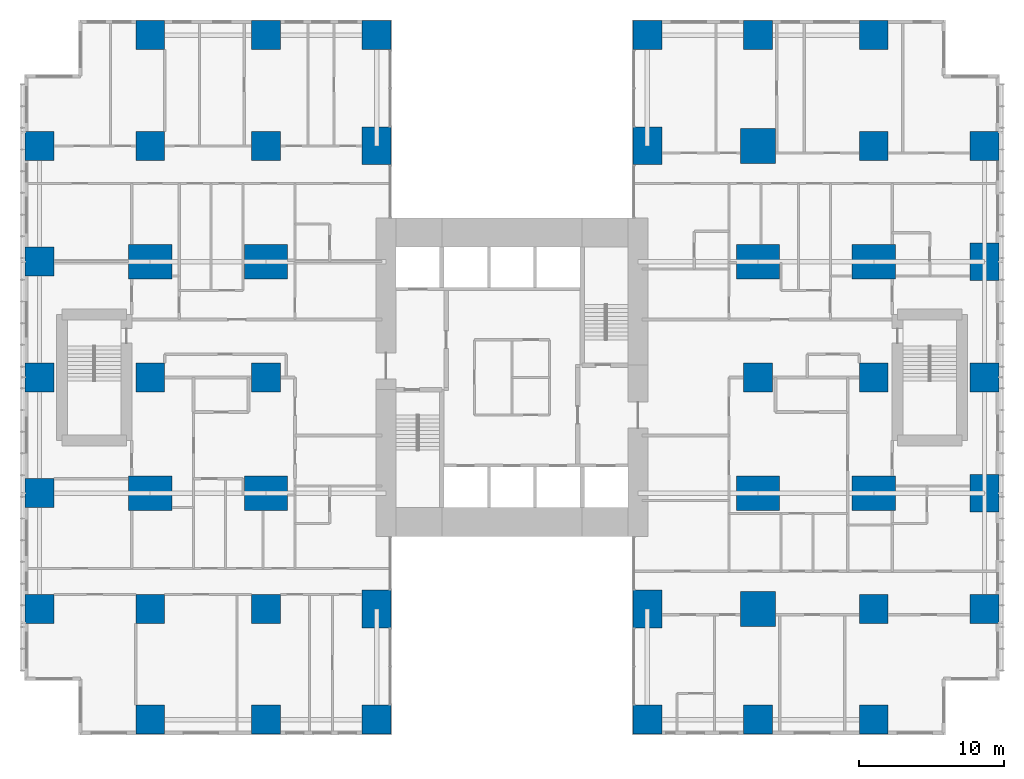
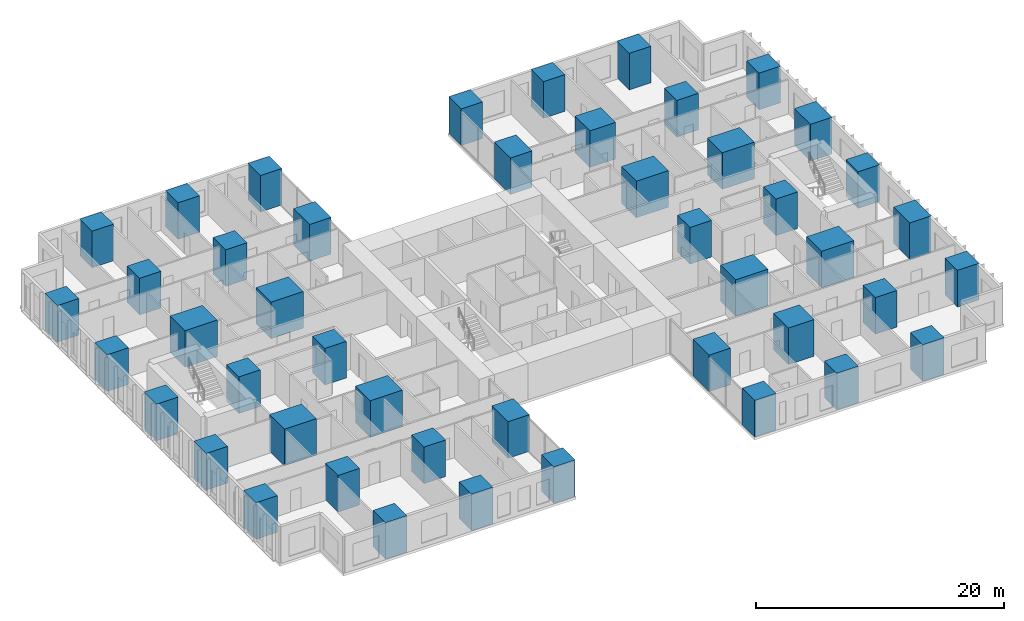
# One storey, part 1 of 20: 46 columns.
"""IFC4 building model written with IfcOpenShell, lengths in metres."""

from ifc_helpers import new_model, si_unit, direction, frame, origin, origin_2d, place, context, subcontext, project, spatial, rectangle, extrude, material, material_profile, profile_set, type_object, element, save


model = new_model("IFC4")

# Units and contexts
model_context = context("Model", 3, precision=1e-05, world=origin(), true_north=direction((0.0, 1.0)))
body_context = subcontext(model_context, "Body", "Model", "MODEL_VIEW")
ifc_project = project(units=[si_unit("LENGTHUNIT", "METRE"), si_unit("AREAUNIT", "SQUARE_METRE"), si_unit("VOLUMEUNIT", "CUBIC_METRE"), si_unit("PLANEANGLEUNIT", "RADIAN"), si_unit("MASSUNIT", "GRAM", prefix="KILO")], contexts=[model_context])

# Site, building, storey
site_placement = place(None, origin())
site = spatial("IfcSite", under=ifc_project, at=site_placement, CompositionType="ELEMENT")
building_placement = place(site_placement, origin())
building = spatial("IfcBuilding", under=site, at=building_placement, Name="Cleftline Residences", CompositionType="ELEMENT")
storey_placement = place(building_placement, frame((0.0, 0.0, 103.39990234375)))
storey = spatial("IfcBuildingStorey", under=building, at=storey_placement, Name="L26", CompositionType="ELEMENT", Elevation=103.39990234375)

# Columns
ifc_material_1 = material(Name="Concrete B70", Category="concrete")
ifc_material_profile_1 = material_profile(ifc_material_1, rectangle(XDim=2.0, YDim=2.0, at=origin_2d()))
ifc_profile_set_1 = profile_set([ifc_material_profile_1], Name="Concrete B70")
column_type_1 = type_object("IfcColumnType", Name="COLUMN RC2000X2000", PredefinedType="COLUMN", material=ifc_profile_set_1)
for number, where, z_axis, x_axis, name in (
    (1, (0.35009765625, 8.0, 0.0), (0.0, 0.0, 1.0), (1.0, 0.0, 0.0), "Column D/3"),
    (2, (0.35009765625, 16.0, 0.0), (0.0, 0.0, 1.0), (1.0, 0.0, 0.0), "Column E/3"),
    (3, (0.35009765625, 24.0, 0.0), (0.0, 0.0, 1.0), (1.0, 0.0, 0.0), "Column F/3"),
    (4, (0.35009765625, 32.0, 0.0), (0.0, 0.0, 1.0), (1.0, 0.0, 0.0), "Column G/3"),
    (5, (0.35009765625, 40.0, 0.0), (0.0, 0.0, 1.0), (1.0, 0.0, 0.0), "Column H/3"),
    (6, (8.0, 0.35009765625, 0.0), (0.0, 0.0, 1.0), (1.0, 0.0, 0.0), "Column C/4"),
    (7, (8.0, 8.0, 0.0), (0.0, 0.0, 1.0), (1.0, 0.0, 0.0), "Column D/4"),
    (8, (8.0, 24.0, 0.0), (0.0, 0.0, 1.0), (1.0, 0.0, 0.0), "Column F/4"),
    (9, (8.0, 40.0, 0.0), (0.0, 0.0, 1.0), (1.0, 0.0, 0.0), "Column H/4"),
    (10, (8.0, 47.64990234375, 0.0), (0.0, 0.0, 1.0), (1.0, 0.0, 0.0), "Column J/4"),
    (11, (16.0, 0.35009765625, 0.0), (0.0, 0.0, 1.0), (1.0, 0.0, 0.0), "Column C/5"),
    (12, (16.0, 8.0, 0.0), (0.0, 0.0, 1.0), (1.0, 0.0, 0.0), "Column D/5"),
    (13, (16.0, 24.0, 0.0), (0.0, 0.0, 1.0), (1.0, 0.0, 0.0), "Column F/5"),
    (14, (16.0, 40.0, 0.0), (0.0, 0.0, 1.0), (1.0, 0.0, 0.0), "Column H/5"),
    (15, (16.0, 47.64990234375, 0.0), (0.0, 0.0, 1.0), (1.0, 0.0, 0.0), "Column J/5"),
    (16, (23.64990234375, 0.35009765625, 0.0), (0.0, 0.0, 1.0), (1.0, 0.0, 0.0), "Column C/6"),
    (17, (23.64990234375, 47.64990234375, 0.0), (0.0, 0.0, 1.0), (1.0, 0.0, 0.0), "Column J/6"),
    (18, (42.35009765625, 0.35009765625, 0.0), (0.0, 0.0, 1.0), (1.0, 0.0, 0.0), "Column C/8"),
    (19, (42.35009765625, 47.64990234375, 0.0), (0.0, 0.0, 1.0), (1.0, 0.0, 0.0), "Column J/8"),
    (20, (50.0, 0.35009765625, 0.0), (0.0, 0.0, 1.0), (1.0, 0.0, 0.0), "Column C/9"),
    (21, (50.0, 24.0, 0.0), (0.0, 0.0, 1.0), (1.0, 0.0, 0.0), "Column F/9"),
    (22, (50.0, 47.64990234375, 0.0), (0.0, 0.0, 1.0), (1.0, 0.0, 0.0), "Column J/9"),
    (23, (58.0, 0.35009765625, 0.0), (0.0, 0.0, 1.0), (1.0, 0.0, 0.0), "Column C/10"),
    (24, (58.0, 8.0, 0.0), (0.0, 0.0, 1.0), (1.0, 0.0, 0.0), "Column D/10"),
    (25, (58.0, 24.0, 0.0), (0.0, 0.0, 1.0), (1.0, 0.0, 0.0), "Column F/10"),
    (26, (58.0, 40.0, 0.0), (0.0, 0.0, 1.0), (1.0, 0.0, 0.0), "Column H/10"),
    (27, (58.0, 47.64990234375, 0.0), (0.0, 0.0, 1.0), (1.0, 0.0, 0.0), "Column J/10"),
    (28, (65.64990234375, 8.0, 0.0), (0.0, 0.0, 1.0), (1.0, 0.0, 0.0), "Column D/11"),
    (29, (65.64990234375, 24.0, 0.0), (0.0, 0.0, 1.0), (1.0, 0.0, 0.0), "Column F/11"),
    (30, (65.64990234375, 40.0, 0.0), (0.0, 0.0, 1.0), (1.0, 0.0, 0.0), "Column H/11"),
):
    element("IfcColumn", number, at=place(storey_placement, frame(where, z_axis=z_axis, x_axis=x_axis)), inside=storey, type_object=column_type_1, Name=name, PredefinedType="COLUMN", context=body_context, shape_type="SweptSolid", body=[
        extrude(rectangle(XDim=2.0, YDim=2.0, at=origin_2d()), origin(), (0.0, 0.0, 1.0), 3.60009765625),
    ])
ifc_material_2 = material(Name="Concrete B70", Category="concrete")
ifc_material_profile_2 = material_profile(ifc_material_2, rectangle(XDim=2.0, YDim=2.60009765625, at=origin_2d()))
ifc_profile_set_2 = profile_set([ifc_material_profile_2], Name="Concrete B70")
column_type_2 = type_object("IfcColumnType", Name="COLUMN RC2000X2600", PredefinedType="COLUMN", material=ifc_profile_set_2)
for number, where, z_axis, x_axis, name in (
    (31, (23.64990234375, 8.0, 0.0), (0.0, 0.0, 1.0), (1.0, 0.0, 0.0), "Column D/6"),
    (32, (23.64990234375, 40.0, 0.0), (0.0, 0.0, 1.0), (1.0, 0.0, 0.0), "Column H/6"),
    (33, (42.35009765625, 8.0, 0.0), (0.0, 0.0, 1.0), (1.0, 0.0, 0.0), "Column D/8"),
    (34, (42.35009765625, 40.0, 0.0), (0.0, 0.0, 1.0), (1.0, 0.0, 0.0), "Column H/8"),
):
    element("IfcColumn", number, at=place(storey_placement, frame(where, z_axis=z_axis, x_axis=x_axis)), inside=storey, type_object=column_type_2, Name=name, PredefinedType="COLUMN", context=body_context, shape_type="SweptSolid", body=[
        extrude(rectangle(XDim=2.0, YDim=2.60009765625, at=origin_2d()), origin(), (0.0, 0.0, 1.0), 3.60009765625),
    ])
ifc_material_3 = material(Name="Concrete B70", Category="concrete")
ifc_material_profile_3 = material_profile(ifc_material_3, rectangle(XDim=2.39990234375, YDim=2.39990234375, at=origin_2d()))
ifc_profile_set_3 = profile_set([ifc_material_profile_3], Name="Concrete B70")
column_type_3 = type_object("IfcColumnType", Name="COLUMN RC2400X2400", PredefinedType="COLUMN", material=ifc_profile_set_3)
for number, where, z_axis, x_axis, name in (
    (35, (50.0, 8.0, 0.0), (0.0, 0.0, 1.0), (1.0, 0.0, 0.0), "Column D/9"),
    (36, (50.0, 40.0, 0.0), (0.0, 0.0, 1.0), (1.0, 0.0, 0.0), "Column H/9"),
):
    element("IfcColumn", number, at=place(storey_placement, frame(where, z_axis=z_axis, x_axis=x_axis)), inside=storey, type_object=column_type_3, Name=name, PredefinedType="COLUMN", context=body_context, shape_type="SweptSolid", body=[
        extrude(rectangle(XDim=2.39990234375, YDim=2.39990234375, at=origin_2d()), origin(), (0.0, 0.0, 1.0), 3.60009765625),
    ])
ifc_material_4 = material(Name="Concrete B70", Category="concrete")
ifc_material_profile_4 = material_profile(ifc_material_4, rectangle(XDim=2.60009765625, YDim=2.0, at=origin_2d()))
ifc_profile_set_4 = profile_set([ifc_material_profile_4], Name="Concrete B70")
column_type_4 = type_object("IfcColumnType", Name="COLUMN RC2600X2000", PredefinedType="COLUMN", material=ifc_profile_set_4)
for number, where, z_axis, x_axis, name in (
    (37, (65.64990234375, 16.0, 0.0), (0.0, 0.0, 1.0), (0.0, 1.0, 0.0), "Column E/11"),
    (38, (65.64990234375, 32.0, 0.0), (0.0, 0.0, 1.0), (0.0, 1.0, 0.0), "Column G/11"),
):
    element("IfcColumn", number, at=place(storey_placement, frame(where, z_axis=z_axis, x_axis=x_axis)), inside=storey, type_object=column_type_4, Name=name, PredefinedType="COLUMN", context=body_context, shape_type="SweptSolid", body=[
        extrude(rectangle(XDim=2.60009765625, YDim=2.0, at=origin_2d()), origin(), (0.0, 0.0, 1.0), 3.60009765625),
    ])
ifc_material_5 = material(Name="Concrete B70", Category="concrete")
ifc_material_profile_5 = material_profile(ifc_material_5, rectangle(XDim=3.0, YDim=2.39990234375, at=origin_2d()))
ifc_profile_set_5 = profile_set([ifc_material_profile_5], Name="Concrete B70")
column_type_5 = type_object("IfcColumnType", Name="COLUMN RC3000X2400", PredefinedType="COLUMN", material=ifc_profile_set_5)
for number, where, z_axis, x_axis, name in (
    (39, (8.0, 16.0, 0.0), (0.0, 0.0, 1.0), (1.0, 0.0, 0.0), "Column E/4"),
    (40, (8.0, 32.0, 0.0), (0.0, 0.0, 1.0), (1.0, 0.0, 0.0), "Column G/4"),
    (41, (16.0, 16.0, 0.0), (0.0, 0.0, 1.0), (1.0, 0.0, 0.0), "Column E/5"),
    (42, (16.0, 32.0, 0.0), (0.0, 0.0, 1.0), (1.0, 0.0, 0.0), "Column G/5"),
    (43, (50.0, 16.0, 0.0), (0.0, 0.0, 1.0), (1.0, 0.0, 0.0), "Column E/9"),
    (44, (50.0, 32.0, 0.0), (0.0, 0.0, 1.0), (1.0, 0.0, 0.0), "Column G/9"),
    (45, (58.0, 16.0, 0.0), (0.0, 0.0, 1.0), (1.0, 0.0, 0.0), "Column E/10"),
    (46, (58.0, 32.0, 0.0), (0.0, 0.0, 1.0), (1.0, 0.0, 0.0), "Column G/10"),
):
    element("IfcColumn", number, at=place(storey_placement, frame(where, z_axis=z_axis, x_axis=x_axis)), inside=storey, type_object=column_type_5, Name=name, PredefinedType="COLUMN", context=body_context, shape_type="SweptSolid", body=[
        extrude(rectangle(XDim=3.0, YDim=2.39990234375, at=origin_2d()), origin(), (0.0, 0.0, 1.0), 3.60009765625),
    ])

save(model, "model.ifc")
